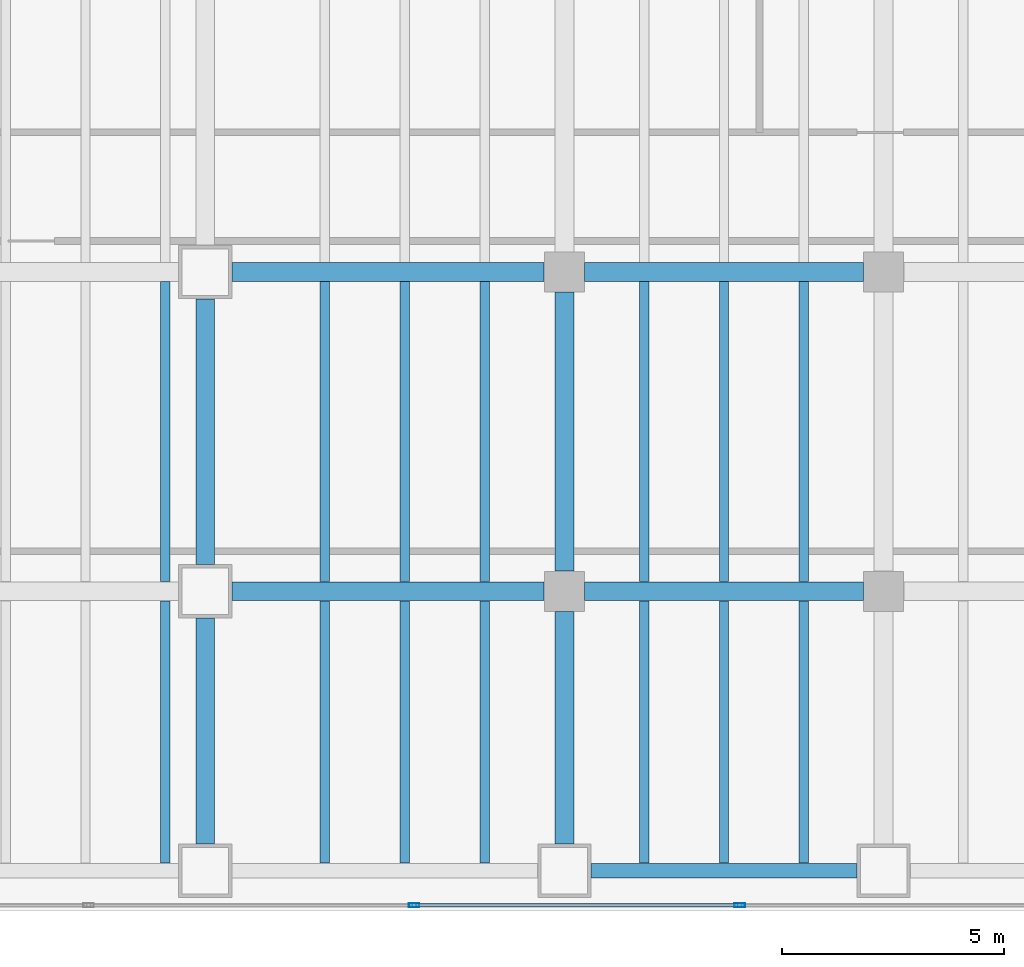
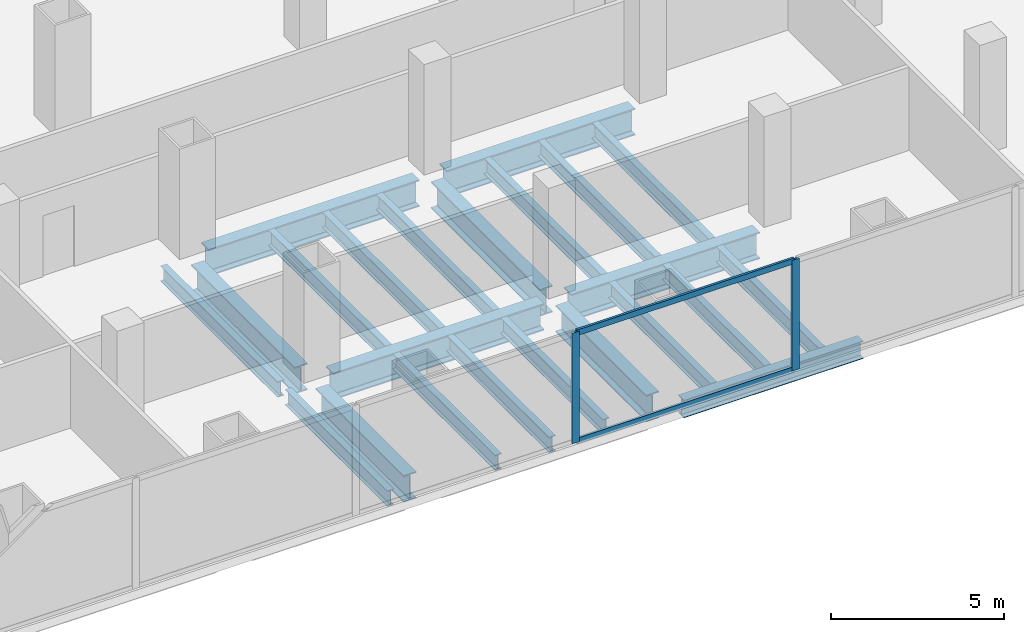
# One storey, part 7 of 31: 23 beams, 4 members, 1 element without a shape of its own.
"""IFC4 building model written with IfcOpenShell, lengths in metres."""

from ifc_helpers import new_model, si_unit, direction, frame, origin, origin_2d, place, context, subcontext, project, spatial, hollow_rectangle, i_section, extrude, material, material_profile, profile_set, type_object, element, aggregate, save


model = new_model("IFC4")

# Units and contexts
model_context = context("Model", 3, precision=1e-05, world=origin(), true_north=direction((0.0, 1.0)))
body_context = subcontext(model_context, "Body", "Model", "MODEL_VIEW")
ifc_project = project(units=[si_unit("LENGTHUNIT", "METRE"), si_unit("AREAUNIT", "SQUARE_METRE"), si_unit("VOLUMEUNIT", "CUBIC_METRE"), si_unit("PLANEANGLEUNIT", "RADIAN"), si_unit("MASSUNIT", "GRAM", prefix="KILO")], contexts=[model_context])

# Site, building, storey
site_placement = place(None, origin())
site = spatial("IfcSite", under=ifc_project, at=site_placement, CompositionType="ELEMENT")
building_placement = place(site_placement, origin())
building = spatial("IfcBuilding", under=site, at=building_placement, Name="Cobrela Telecom Tower", CompositionType="ELEMENT")
storey_placement = place(building_placement, frame((0.0, 0.0, 9.449951171875)))
storey = spatial("IfcBuildingStorey", under=building, at=storey_placement, Name="L02", CompositionType="ELEMENT", Elevation=9.449951171875)

# Beams
ifc_material_1 = material(Name="Steel ASTM A992 Grade 50", Category="steel")
ifc_material_profile_1 = material_profile(ifc_material_1, i_section(OverallWidth=0.424072265625, OverallDepth=0.947021484375, WebThickness=0.02392578125, FlangeThickness=0.042724609375, FilletRadius=0.02392578125, at=origin_2d()), Name="W36X302")
ifc_profile_set_1 = profile_set([ifc_material_profile_1], Name="Steel ASTM A992 Grade 50")
beam_type_1 = type_object("IfcBeamType", Name="BM-GIRD-01", PredefinedType="USERDEFINED", material=ifc_profile_set_1)
beam_1_placement = place(storey_placement, frame((50.10498046875, 7.199951171875, -0.7734375), z_axis=(1.0, 0.0, 0.0), x_axis=(0.0, 1.0, 0.0)))
element("IfcBeam", 1, at=beam_1_placement, inside=storey, type_object=beam_type_1, Name="L02 Primary Girder X16", ObjectType="GIRDER", PredefinedType="USERDEFINED", context=body_context, shape_type="SweptSolid", body=[
    extrude(i_section(OverallWidth=0.424072265625, OverallDepth=0.947021484375, WebThickness=0.02392578125, FlangeThickness=0.042724609375, FilletRadius=0.02392578125, at=origin_2d()), origin(), (0.0, 0.0, 1.0), 7.0400390625),
])
beam_2_placement = place(storey_placement, frame((58.054931640625, 7.199951171875, -0.7734375), z_axis=(1.0, 0.0, 0.0), x_axis=(0.0, 1.0, 0.0)))
element("IfcBeam", 2, at=beam_2_placement, inside=storey, type_object=beam_type_1, Name="L02 Primary Girder X17", ObjectType="GIRDER", PredefinedType="USERDEFINED", context=body_context, shape_type="SweptSolid", body=[
    extrude(i_section(OverallWidth=0.424072265625, OverallDepth=0.947021484375, WebThickness=0.02392578125, FlangeThickness=0.042724609375, FilletRadius=0.02392578125, at=origin_2d()), origin(), (0.0, 0.0, 1.0), 6.2900390625),
])
beam_3_placement = place(storey_placement, frame((50.10498046875, 14.39990234375, -0.7734375), z_axis=(1.0, 0.0, 0.0), x_axis=(0.0, 1.0, 0.0)))
element("IfcBeam", 3, at=beam_3_placement, inside=storey, type_object=beam_type_1, Name="L02 Primary Girder X24", ObjectType="GIRDER", PredefinedType="USERDEFINED", context=body_context, shape_type="SweptSolid", body=[
    extrude(i_section(OverallWidth=0.424072265625, OverallDepth=0.947021484375, WebThickness=0.02392578125, FlangeThickness=0.042724609375, FilletRadius=0.02392578125, at=origin_2d()), origin(), (0.0, 0.0, 1.0), 7.0400390625),
])
beam_4_placement = place(storey_placement, frame((58.054931640625, 14.39990234375, -0.7734375), z_axis=(1.0, 0.0, 0.0), x_axis=(0.0, 1.0, 0.0)))
element("IfcBeam", 4, at=beam_4_placement, inside=storey, type_object=beam_type_1, Name="L02 Primary Girder X25", ObjectType="GIRDER", PredefinedType="USERDEFINED", context=body_context, shape_type="SweptSolid", body=[
    extrude(i_section(OverallWidth=0.424072265625, OverallDepth=0.947021484375, WebThickness=0.02392578125, FlangeThickness=0.042724609375, FilletRadius=0.02392578125, at=origin_2d()), origin(), (0.0, 0.0, 1.0), 6.2900390625),
])
beam_5_placement = place(storey_placement, frame((49.5, 1.5048828125, -0.7734375), z_axis=(0.0, 1.0, 0.0), x_axis=(-1.0, 0.0, 0.0)))
element("IfcBeam", 5, at=beam_5_placement, inside=storey, type_object=beam_type_1, Name="L02 Primary Girder Y85", ObjectType="GIRDER", PredefinedType="USERDEFINED", context=body_context, shape_type="SweptSolid", body=[
    extrude(i_section(OverallWidth=0.424072265625, OverallDepth=0.947021484375, WebThickness=0.02392578125, FlangeThickness=0.042724609375, FilletRadius=0.02392578125, at=origin_2d()), origin(), (0.0, 0.0, 1.0), 5.090087890625),
])
beam_6_placement = place(storey_placement, frame((49.5, 7.804931640625, -0.7734375), z_axis=(0.0, 1.0, 0.0), x_axis=(-1.0, 0.0, 0.0)))
element("IfcBeam", 6, at=beam_6_placement, inside=storey, type_object=beam_type_1, Name="L02 Primary Girder Y86", ObjectType="GIRDER", PredefinedType="USERDEFINED", context=body_context, shape_type="SweptSolid", body=[
    extrude(i_section(OverallWidth=0.424072265625, OverallDepth=0.947021484375, WebThickness=0.02392578125, FlangeThickness=0.042724609375, FilletRadius=0.02392578125, at=origin_2d()), origin(), (0.0, 0.0, 1.0), 5.989990234375),
])
beam_7_placement = place(storey_placement, frame((57.60009765625, 1.5048828125, -0.7734375), z_axis=(0.0, 1.0, 0.0), x_axis=(-1.0, 0.0, 0.0)))
element("IfcBeam", 7, at=beam_7_placement, inside=storey, type_object=beam_type_1, Name="L02 Primary Girder Y88", ObjectType="GIRDER", PredefinedType="USERDEFINED", context=body_context, shape_type="SweptSolid", body=[
    extrude(i_section(OverallWidth=0.424072265625, OverallDepth=0.947021484375, WebThickness=0.02392578125, FlangeThickness=0.042724609375, FilletRadius=0.02392578125, at=origin_2d()), origin(), (0.0, 0.0, 1.0), 5.240234375),
])
beam_8_placement = place(storey_placement, frame((57.60009765625, 7.655029296875, -0.7734375), z_axis=(0.0, 1.0, 0.0), x_axis=(-1.0, 0.0, 0.0)))
element("IfcBeam", 8, at=beam_8_placement, inside=storey, type_object=beam_type_1, Name="L02 Primary Girder Y89", ObjectType="GIRDER", PredefinedType="USERDEFINED", context=body_context, shape_type="SweptSolid", body=[
    extrude(i_section(OverallWidth=0.424072265625, OverallDepth=0.947021484375, WebThickness=0.02392578125, FlangeThickness=0.042724609375, FilletRadius=0.02392578125, at=origin_2d()), origin(), (0.0, 0.0, 1.0), 6.2900390625),
])
ifc_material_profile_2 = material_profile(ifc_material_1, i_section(OverallWidth=0.212890625, OverallDepth=0.549072265625, WebThickness=0.0146484375, FlangeThickness=0.023681640625, FilletRadius=0.013916015625, at=origin_2d()), Name="W21X93")
ifc_profile_set_2 = profile_set([ifc_material_profile_2], Name="Steel ASTM A992 Grade 50")
beam_type_2 = type_object("IfcBeamType", Name="BM-JOIST-01", PredefinedType="JOIST", material=ifc_profile_set_2)
beam_9_placement = place(storey_placement, frame((48.60009765625, 1.069091796875, -0.574462890625), z_axis=(0.0, 1.0, 0.0), x_axis=(-1.0, 0.0, 0.0)))
element("IfcBeam", 9, at=beam_9_placement, inside=storey, type_object=beam_type_2, Name="L02 Secondary Composite Floor Beam J97", PredefinedType="JOIST", context=body_context, shape_type="SweptSolid", body=[
    extrude(i_section(OverallWidth=0.212890625, OverallDepth=0.549072265625, WebThickness=0.0146484375, FlangeThickness=0.023681640625, FilletRadius=0.013916015625, at=origin_2d()), origin(), (0.0, 0.0, 1.0), 5.913818359375),
])
beam_10_placement = place(storey_placement, frame((48.60009765625, 7.4169921875, -0.574462890625), z_axis=(0.0, 1.0, 0.0), x_axis=(-1.0, 0.0, 0.0)))
element("IfcBeam", 10, at=beam_10_placement, inside=storey, type_object=beam_type_2, Name="L02 Secondary Composite Floor Beam J98", PredefinedType="JOIST", context=body_context, shape_type="SweptSolid", body=[
    extrude(i_section(OverallWidth=0.212890625, OverallDepth=0.549072265625, WebThickness=0.0146484375, FlangeThickness=0.023681640625, FilletRadius=0.013916015625, at=origin_2d()), origin(), (0.0, 0.0, 1.0), 6.76611328125),
])
beam_11_placement = place(storey_placement, frame((52.199951171875, 1.069091796875, -0.574462890625), z_axis=(0.0, 1.0, 0.0), x_axis=(-1.0, 0.0, 0.0)))
element("IfcBeam", 11, at=beam_11_placement, inside=storey, type_object=beam_type_2, Name="L02 Secondary Composite Floor Beam J100", PredefinedType="JOIST", context=body_context, shape_type="SweptSolid", body=[
    extrude(i_section(OverallWidth=0.212890625, OverallDepth=0.549072265625, WebThickness=0.0146484375, FlangeThickness=0.023681640625, FilletRadius=0.013916015625, at=origin_2d()), origin(), (0.0, 0.0, 1.0), 5.913818359375),
])
beam_12_placement = place(storey_placement, frame((52.199951171875, 7.4169921875, -0.574462890625), z_axis=(0.0, 1.0, 0.0), x_axis=(-1.0, 0.0, 0.0)))
element("IfcBeam", 12, at=beam_12_placement, inside=storey, type_object=beam_type_2, Name="L02 Secondary Composite Floor Beam J101", PredefinedType="JOIST", context=body_context, shape_type="SweptSolid", body=[
    extrude(i_section(OverallWidth=0.212890625, OverallDepth=0.549072265625, WebThickness=0.0146484375, FlangeThickness=0.023681640625, FilletRadius=0.013916015625, at=origin_2d()), origin(), (0.0, 0.0, 1.0), 6.76611328125),
])
beam_13_placement = place(storey_placement, frame((54.0, 1.069091796875, -0.574462890625), z_axis=(0.0, 1.0, 0.0), x_axis=(-1.0, 0.0, 0.0)))
element("IfcBeam", 13, at=beam_13_placement, inside=storey, type_object=beam_type_2, Name="L02 Secondary Composite Floor Beam J103", PredefinedType="JOIST", context=body_context, shape_type="SweptSolid", body=[
    extrude(i_section(OverallWidth=0.212890625, OverallDepth=0.549072265625, WebThickness=0.0146484375, FlangeThickness=0.023681640625, FilletRadius=0.013916015625, at=origin_2d()), origin(), (0.0, 0.0, 1.0), 5.913818359375),
])
beam_14_placement = place(storey_placement, frame((54.0, 7.4169921875, -0.574462890625), z_axis=(0.0, 1.0, 0.0), x_axis=(-1.0, 0.0, 0.0)))
element("IfcBeam", 14, at=beam_14_placement, inside=storey, type_object=beam_type_2, Name="L02 Secondary Composite Floor Beam J104", PredefinedType="JOIST", context=body_context, shape_type="SweptSolid", body=[
    extrude(i_section(OverallWidth=0.212890625, OverallDepth=0.549072265625, WebThickness=0.0146484375, FlangeThickness=0.023681640625, FilletRadius=0.013916015625, at=origin_2d()), origin(), (0.0, 0.0, 1.0), 6.76611328125),
])
beam_15_placement = place(storey_placement, frame((55.800048828125, 1.069091796875, -0.574462890625), z_axis=(0.0, 1.0, 0.0), x_axis=(-1.0, 0.0, 0.0)))
element("IfcBeam", 15, at=beam_15_placement, inside=storey, type_object=beam_type_2, Name="L02 Secondary Composite Floor Beam J106", PredefinedType="JOIST", context=body_context, shape_type="SweptSolid", body=[
    extrude(i_section(OverallWidth=0.212890625, OverallDepth=0.549072265625, WebThickness=0.0146484375, FlangeThickness=0.023681640625, FilletRadius=0.013916015625, at=origin_2d()), origin(), (0.0, 0.0, 1.0), 5.913818359375),
])
beam_16_placement = place(storey_placement, frame((55.800048828125, 7.4169921875, -0.574462890625), z_axis=(0.0, 1.0, 0.0), x_axis=(-1.0, 0.0, 0.0)))
element("IfcBeam", 16, at=beam_16_placement, inside=storey, type_object=beam_type_2, Name="L02 Secondary Composite Floor Beam J107", PredefinedType="JOIST", context=body_context, shape_type="SweptSolid", body=[
    extrude(i_section(OverallWidth=0.212890625, OverallDepth=0.549072265625, WebThickness=0.0146484375, FlangeThickness=0.023681640625, FilletRadius=0.013916015625, at=origin_2d()), origin(), (0.0, 0.0, 1.0), 6.76611328125),
])
beam_17_placement = place(storey_placement, frame((59.39990234375, 1.069091796875, -0.574462890625), z_axis=(0.0, 1.0, 0.0), x_axis=(-1.0, 0.0, 0.0)))
element("IfcBeam", 17, at=beam_17_placement, inside=storey, type_object=beam_type_2, Name="L02 Secondary Composite Floor Beam J109", PredefinedType="JOIST", context=body_context, shape_type="SweptSolid", body=[
    extrude(i_section(OverallWidth=0.212890625, OverallDepth=0.549072265625, WebThickness=0.0146484375, FlangeThickness=0.023681640625, FilletRadius=0.013916015625, at=origin_2d()), origin(), (0.0, 0.0, 1.0), 5.913818359375),
])
beam_18_placement = place(storey_placement, frame((59.39990234375, 7.4169921875, -0.574462890625), z_axis=(0.0, 1.0, 0.0), x_axis=(-1.0, 0.0, 0.0)))
element("IfcBeam", 18, at=beam_18_placement, inside=storey, type_object=beam_type_2, Name="L02 Secondary Composite Floor Beam J110", PredefinedType="JOIST", context=body_context, shape_type="SweptSolid", body=[
    extrude(i_section(OverallWidth=0.212890625, OverallDepth=0.549072265625, WebThickness=0.0146484375, FlangeThickness=0.023681640625, FilletRadius=0.013916015625, at=origin_2d()), origin(), (0.0, 0.0, 1.0), 6.76611328125),
])
beam_19_placement = place(storey_placement, frame((61.199951171875, 1.069091796875, -0.574462890625), z_axis=(0.0, 1.0, 0.0), x_axis=(-1.0, 0.0, 0.0)))
element("IfcBeam", 19, at=beam_19_placement, inside=storey, type_object=beam_type_2, Name="L02 Secondary Composite Floor Beam J112", PredefinedType="JOIST", context=body_context, shape_type="SweptSolid", body=[
    extrude(i_section(OverallWidth=0.212890625, OverallDepth=0.549072265625, WebThickness=0.0146484375, FlangeThickness=0.023681640625, FilletRadius=0.013916015625, at=origin_2d()), origin(), (0.0, 0.0, 1.0), 5.913818359375),
])
beam_20_placement = place(storey_placement, frame((61.199951171875, 7.4169921875, -0.574462890625), z_axis=(0.0, 1.0, 0.0), x_axis=(-1.0, 0.0, 0.0)))
element("IfcBeam", 20, at=beam_20_placement, inside=storey, type_object=beam_type_2, Name="L02 Secondary Composite Floor Beam J113", PredefinedType="JOIST", context=body_context, shape_type="SweptSolid", body=[
    extrude(i_section(OverallWidth=0.212890625, OverallDepth=0.549072265625, WebThickness=0.0146484375, FlangeThickness=0.023681640625, FilletRadius=0.013916015625, at=origin_2d()), origin(), (0.0, 0.0, 1.0), 6.76611328125),
])
beam_21_placement = place(storey_placement, frame((63.0, 1.069091796875, -0.574462890625), z_axis=(0.0, 1.0, 0.0), x_axis=(-1.0, 0.0, 0.0)))
element("IfcBeam", 21, at=beam_21_placement, inside=storey, type_object=beam_type_2, Name="L02 Secondary Composite Floor Beam J115", PredefinedType="JOIST", context=body_context, shape_type="SweptSolid", body=[
    extrude(i_section(OverallWidth=0.212890625, OverallDepth=0.549072265625, WebThickness=0.0146484375, FlangeThickness=0.023681640625, FilletRadius=0.013916015625, at=origin_2d()), origin(), (0.0, 0.0, 1.0), 5.913818359375),
])
beam_22_placement = place(storey_placement, frame((63.0, 7.4169921875, -0.574462890625), z_axis=(0.0, 1.0, 0.0), x_axis=(-1.0, 0.0, 0.0)))
element("IfcBeam", 22, at=beam_22_placement, inside=storey, type_object=beam_type_2, Name="L02 Secondary Composite Floor Beam J116", PredefinedType="JOIST", context=body_context, shape_type="SweptSolid", body=[
    extrude(i_section(OverallWidth=0.212890625, OverallDepth=0.549072265625, WebThickness=0.0146484375, FlangeThickness=0.023681640625, FilletRadius=0.013916015625, at=origin_2d()), origin(), (0.0, 0.0, 1.0), 6.76611328125),
])
ifc_material_profile_3 = material_profile(ifc_material_1, i_section(OverallWidth=0.327880859375, OverallDepth=0.6220703125, WebThickness=0.015380859375, FlangeThickness=0.0244140625, FilletRadius=0.014892578125, at=origin_2d()), Name="W24X131")
ifc_profile_set_3 = profile_set([ifc_material_profile_3], Name="Steel ASTM A992 Grade 50")
beam_type_3 = type_object("IfcBeamType", Name="BM-SPAND-01", PredefinedType="SPANDREL", material=ifc_profile_set_3)
beam_23_placement = place(storey_placement, frame((58.205078125, 0.89990234375, -0.61083984375), z_axis=(1.0, 0.0, 0.0), x_axis=(0.0, 1.0, 0.0)))
element("IfcBeam", 23, at=beam_23_placement, inside=storey, type_object=beam_type_3, Name="L02 Perimeter Spandrel X07", PredefinedType="SPANDREL", context=body_context, shape_type="SweptSolid", body=[
    extrude(i_section(OverallWidth=0.327880859375, OverallDepth=0.6220703125, WebThickness=0.015380859375, FlangeThickness=0.0244140625, FilletRadius=0.014892578125, at=origin_2d()), origin(), (0.0, 0.0, 1.0), 5.989990234375),
])

# Curtain wall, members
ifc_material_2 = material(Name="Anodized Bronze Aluminium 6063-T6", Category="aluminium")
curtain_wall_type = type_object("IfcCurtainWallType", Name="CW-SYS-CONC", PredefinedType="USERDEFINED", material=ifc_material_2)
curtain_wall_placement = place(storey_placement, origin())
curtain_wall = element("IfcCurtainWall", 24, at=curtain_wall_placement, inside=storey, type_object=curtain_wall_type, Name="L02 Unitised Bronze Curtain Wall 17", ObjectType="UNITISED CURTAIN WALL", PredefinedType="USERDEFINED")
ifc_material_profile_4 = material_profile(ifc_material_2, hollow_rectangle(XDim=0.080078125, YDim=0.239990234375, WallThickness=0.0048828125, at=origin_2d()), Name="ALU 80x240x5")
ifc_profile_set_4 = profile_set([ifc_material_profile_4], Name="Anodized Bronze Aluminium 6063-T6")
member_type_1 = type_object("IfcMemberType", Name="CW-SYS-CONC-MUL", PredefinedType="MULLION", material=ifc_profile_set_4)
member_1_placement = place(storey_placement, frame((61.554443359375, 0.1201171875, 0.0), z_axis=(0.0, 0.0, 1.0), x_axis=(0.0, -1.0, 0.0)))
member_1 = element("IfcMember", 25, at=member_1_placement, type_object=member_type_1, Name="CW-CONC mullion 4", PredefinedType="MULLION", context=body_context, shape_type="SweptSolid", body=[
    extrude(hollow_rectangle(XDim=0.080078125, YDim=0.239990234375, WallThickness=0.0048828125, at=origin_2d()), origin(), (0.0, 0.0, 1.0), 3.900146484375),
])
member_2_placement = place(storey_placement, frame((54.212646484375, 0.1201171875, 0.0), z_axis=(0.0, 0.0, 1.0), x_axis=(0.0, -1.0, 0.0)))
member_2 = element("IfcMember", 26, at=member_2_placement, type_object=member_type_1, Name="CW-CONC mullion 5", PredefinedType="MULLION", context=body_context, shape_type="SweptSolid", body=[
    extrude(hollow_rectangle(XDim=0.080078125, YDim=0.239990234375, WallThickness=0.0048828125, at=origin_2d()), origin(), (0.0, 0.0, 1.0), 3.900146484375),
])
ifc_material_profile_5 = material_profile(ifc_material_2, hollow_rectangle(XDim=0.080078125, YDim=0.199951171875, WallThickness=0.00390625, at=origin_2d()), Name="ALU 80x200x4")
ifc_profile_set_5 = profile_set([ifc_material_profile_5], Name="Anodized Bronze Aluminium 6063-T6")
member_type_2 = type_object("IfcMemberType", Name="CW-SYS-CONC-TRN", PredefinedType="USERDEFINED", material=ifc_profile_set_5)
member_3_placement = place(storey_placement, frame((61.5146484375, 0.1201171875, 0.0400390625), z_axis=(-1.0, 0.0, 0.0), x_axis=(0.0, -1.0, 0.0)))
member_3 = element("IfcMember", 27, at=member_3_placement, type_object=member_type_2, Name="CW-CONC transom 4.1", ObjectType="TRANSOM", PredefinedType="USERDEFINED", context=body_context, shape_type="SweptSolid", body=[
    extrude(hollow_rectangle(XDim=0.080078125, YDim=0.199951171875, WallThickness=0.00390625, at=origin_2d()), origin(), (0.0, 0.0, 1.0), 7.261962890625),
])
member_4_placement = place(storey_placement, frame((61.5146484375, 0.1201171875, 3.860107421875), z_axis=(-1.0, 0.0, 0.0), x_axis=(0.0, -1.0, 0.0)))
member_4 = element("IfcMember", 28, at=member_4_placement, type_object=member_type_2, Name="CW-CONC transom 4.2", ObjectType="TRANSOM", PredefinedType="USERDEFINED", context=body_context, shape_type="SweptSolid", body=[
    extrude(hollow_rectangle(XDim=0.080078125, YDim=0.199951171875, WallThickness=0.00390625, at=origin_2d()), origin(), (0.0, 0.0, 1.0), 7.261962890625),
])
aggregate(curtain_wall, [member_1, member_2, member_3, member_4])

save(model, "model.ifc")
